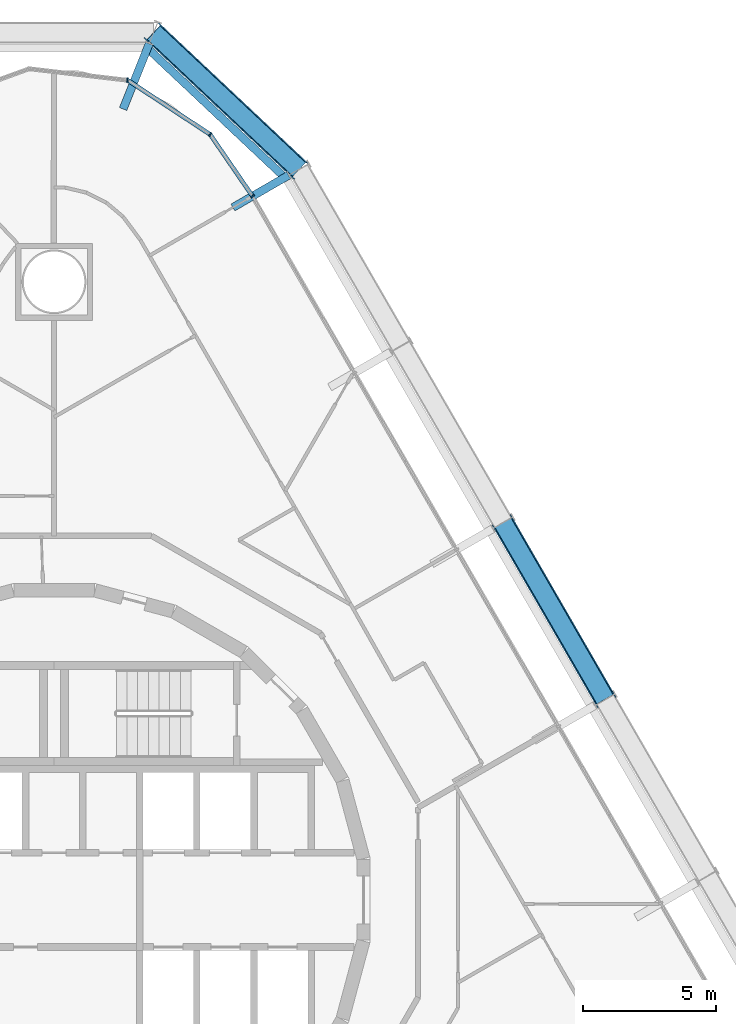
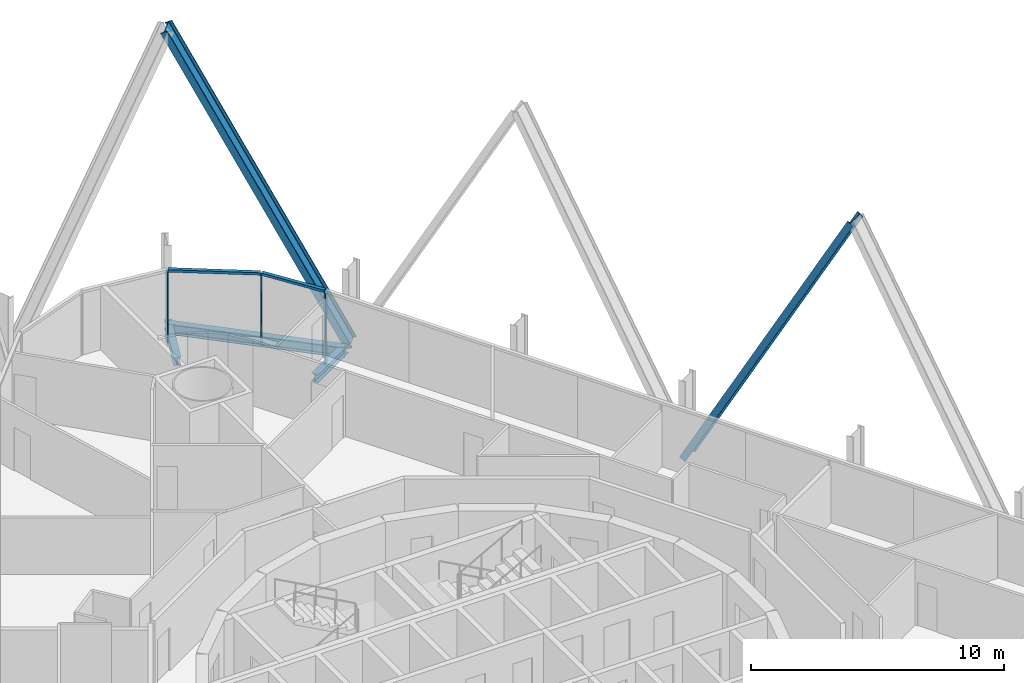
# One storey, part 12 of 21: 7 members, 3 beams, 1 element without a shape of its own.
"""IFC4 building model written with IfcOpenShell, lengths in metres."""

import ifcopenshell
import ifcopenshell.guid

model = None  # the IFC model being written
_history = None  # IfcOwnerHistory: only IFC2X3 demands one
_inside = {}  # id of a spatial element -> (the spatial element, [elements in it])
_under = {}  # id of a project, library or spatial element -> (it, [spatial elements below it])
_declared = {}  # id of a project -> (the project, [libraries it declares])
_typed = {}  # id of a type object -> (the type object, [elements of that type])
_made_of = {}  # id of a material, layer set ... -> (it, [elements and type objects made of it])


def new_model(schema):
    """Start an empty IFC model of exactly this schema.

    Asked for "IFC4X3", IfcOpenShell would pick the latest addendum, in which some entities
    have other attributes; the version numbers below select the first issue.
    IFC2X3 requires an IfcOwnerHistory on every rooted entity: one is made here for all.
    """
    global model, _history
    if schema == "IFC4X3":
        model = ifcopenshell.file(schema_version=(4, 3, 0, 0))
    else:
        model = ifcopenshell.file(schema=schema)
    _inside.clear()
    _under.clear()
    _declared.clear()
    _typed.clear()
    _made_of.clear()
    _history = None
    if model.schema == "IFC2X3":
        org = make("IfcOrganization", Name="unknown")
        user = make(
            "IfcPersonAndOrganization",
            ThePerson=make("IfcPerson", FamilyName="unknown"),
            TheOrganization=org,
        )
        app = make(
            "IfcApplication",
            ApplicationDeveloper=org,
            Version="unknown",
            ApplicationFullName="unknown",
            ApplicationIdentifier="unknown",
        )
        _history = make(
            "IfcOwnerHistory",
            OwningUser=user,
            OwningApplication=app,
            ChangeAction="ADDED",
            CreationDate=0,
        )
    return model


def make(cls, **values):
    """One entity of the class cls with the attributes given. An attribute that is None is left unset."""
    return model.create_entity(
        cls, **{name: value for name, value in values.items() if value is not None}
    )


def rooted(cls, **values):
    """An entity with a GlobalId (a new one), such as an element, a storey or a relation."""
    return make(cls, GlobalId=ifcopenshell.guid.new(), OwnerHistory=_history, **values)


def si_unit(unit_type, name, prefix=None):
    """IfcSIUnit, for example si_unit("LENGTHUNIT", "METRE", prefix="MILLI")."""
    return make("IfcSIUnit", UnitType=unit_type, Prefix=prefix, Name=name)


def assignment(units):
    """IfcUnitAssignment: the units of a project."""
    return None if units is None else make("IfcUnitAssignment", Units=units)


def point(xyz):
    """IfcCartesianPoint."""
    return None if xyz is None else make("IfcCartesianPoint", Coordinates=xyz)


def direction(xyz):
    """IfcDirection."""
    return None if xyz is None else make("IfcDirection", DirectionRatios=xyz)


def frame(location, z_axis=None, x_axis=None):
    """IfcAxis2Placement3D, a coordinate frame: its origin and axes. An axis left out is left unset."""
    return make(
        "IfcAxis2Placement3D",
        Location=point(location),
        Axis=direction(z_axis),
        RefDirection=direction(x_axis),
    )


def frame_2d(location, x_axis=None):
    """IfcAxis2Placement2D, a coordinate frame in the plane: its origin and x axis."""
    return make(
        "IfcAxis2Placement2D", Location=point(location), RefDirection=direction(x_axis)
    )


def origin():
    """The frame at (0, 0, 0) with its axes left unset."""
    return frame((0.0, 0.0, 0.0))


def origin_2d():
    """The frame at (0, 0) in the plane with its x axis left unset."""
    return frame_2d((0.0, 0.0))


def place(relative_to, where):
    """IfcLocalPlacement: puts the frame where relative to a parent placement (None: the world)."""
    return make(
        "IfcLocalPlacement", PlacementRelTo=relative_to, RelativePlacement=where
    )


def context(
    kind, dimensions, precision=None, world=None, true_north=None, identifier=None
):
    """IfcGeometricRepresentationContext, for example the 3D "Model" context."""
    return make(
        "IfcGeometricRepresentationContext",
        ContextIdentifier=identifier,
        ContextType=kind,
        CoordinateSpaceDimension=dimensions,
        Precision=precision,
        WorldCoordinateSystem=world,
        TrueNorth=true_north,
    )


def subcontext(parent, identifier, kind, view, scale=None):
    """IfcGeometricRepresentationSubContext, for example "Body" below "Model"."""
    return make(
        "IfcGeometricRepresentationSubContext",
        ContextIdentifier=identifier,
        ContextType=kind,
        ParentContext=parent,
        TargetScale=scale,
        TargetView=view,
    )


def project(units=None, contexts=None):
    """IfcProject with its units and contexts."""
    return rooted(
        "IfcProject",
        Name="project",
        RepresentationContexts=contexts,
        UnitsInContext=assignment(units),
    )


def spatial(cls, under=None, at=None, **own):
    """A site, building, storey or space (cls), placed at a placement, below another one or the project."""
    s = rooted(cls, ObjectPlacement=at, **own)
    if under is not None:
        _under.setdefault(under.id(), (under, []))[1].append(s)
    return s


def profile(cls, at=None, kind="AREA", **sizes):
    """A parametric profile (cls). Its sizes go by their IFC names, for example OverallWidth=200.0."""
    return make(cls, ProfileType=kind, Position=at, **sizes)


def rectangle(**sizes):
    """IfcRectangleProfileDef."""
    return profile("IfcRectangleProfileDef", **sizes)


def i_section(**sizes):
    """IfcIShapeProfileDef."""
    return profile("IfcIShapeProfileDef", **sizes)


def extrude(swept, where, along, depth):
    """IfcExtrudedAreaSolid: the profile swept, set in the frame where, extruded along a direction by depth."""
    return make(
        "IfcExtrudedAreaSolid",
        SweptArea=swept,
        Position=where,
        ExtrudedDirection=direction(along),
        Depth=depth,
    )


def shape(context_of_items, identifier, shape_type, items):
    """IfcShapeRepresentation: the items that make up one representation, for example the "Body"."""
    return make(
        "IfcShapeRepresentation",
        ContextOfItems=context_of_items,
        RepresentationIdentifier=identifier,
        RepresentationType=shape_type,
        Items=items,
    )


def material(Name=None, Category=None):
    """IfcMaterial."""
    return make("IfcMaterial", Name=Name, Category=Category)


def layer(
    of_material, thickness, ventilated=None, Name=None, Category=None, Priority=None
):
    """IfcMaterialLayer: one layer of a wall or slab, of a material (None: an air gap)."""
    return make(
        "IfcMaterialLayer",
        Material=of_material,
        LayerThickness=thickness,
        IsVentilated=ventilated,
        Name=Name,
        Category=Category,
        Priority=Priority,
    )


def layer_set(layers, Name=None):
    """IfcMaterialLayerSet."""
    return make("IfcMaterialLayerSet", MaterialLayers=layers, LayerSetName=Name)


def material_profile(
    of_material, cross_section, Name=None, Category=None, Priority=None
):
    """IfcMaterialProfile: a cross section and its material."""
    return make(
        "IfcMaterialProfile",
        Name=Name,
        Material=of_material,
        Profile=cross_section,
        Priority=Priority,
        Category=Category,
    )


def profile_set(profiles, Name=None, composite=None):
    """IfcMaterialProfileSet."""
    return make(
        "IfcMaterialProfileSet",
        Name=Name,
        MaterialProfiles=profiles,
        CompositeProfile=composite,
    )


def made_of(thing, what):
    """Note that an element or type object is made of a material, layer set ...; save() writes the relation."""
    if what is not None:
        _made_of.setdefault(what.id(), (what, []))[1].append(thing)
    return thing


def type_object(cls, material=None, **own):
    """A type object (cls), such as IfcWallType, which elements share."""
    return made_of(rooted(cls, **own), material)


def element(
    cls,
    number,
    at=None,
    inside=None,
    cuts=None,
    type_object=None,
    material=None,
    context=None,
    identifier="Body",
    shape_type=None,
    held_by="IfcProductDefinitionShape",
    body=None,
    shapes=None,
    **own,
):
    """One element of the class cls, such as IfcWall. Its Tag is "e" and its number.

    at: its placement. inside: the storey or other place that contains it. cuts: it is an
    opening in that element (IfcRelVoidsElement). A single representation is given by context,
    identifier, shape_type and body (its items); several are given by shapes. held_by: the class
    of the entity that holds the representations. save() writes the other relations.
    """
    e = rooted(cls, Tag="e%d" % number, ObjectPlacement=at, **own)
    if body is not None:
        shapes = [shape(context, identifier, shape_type, body)]
    if shapes is not None:
        e.Representation = make(held_by, Representations=shapes)
    if inside is not None:
        _inside.setdefault(inside.id(), (inside, []))[1].append(e)
    if cuts is not None:
        rooted(
            "IfcRelVoidsElement", RelatingBuildingElement=cuts, RelatedOpeningElement=e
        )
    if type_object is not None:
        _typed.setdefault(type_object.id(), (type_object, []))[1].append(e)
    return made_of(e, material)


def aggregate(whole, parts):
    """IfcRelAggregates: a whole, such as a stair, and the parts it consists of."""
    return rooted("IfcRelAggregates", RelatingObject=whole, RelatedObjects=parts)


def save(model, path):
    """Write the relations noted so far, then the file.

    IfcRelAggregates (storeys below a building ...), IfcRelContainedInSpatialStructure (elements
    in a storey), IfcRelDefinesByType, IfcRelAssociatesMaterial and IfcRelDeclares: one each for
    every whole, place, type object, material and project.
    """
    for whole, parts in _under.values():
        aggregate(whole, parts)
    for where, things in _inside.values():
        rooted(
            "IfcRelContainedInSpatialStructure",
            RelatedElements=things,
            RelatingStructure=where,
        )
    for kind, things in _typed.values():
        rooted("IfcRelDefinesByType", RelatedObjects=things, RelatingType=kind)
    for what, things in _made_of.values():
        rooted("IfcRelAssociatesMaterial", RelatedObjects=things, RelatingMaterial=what)
    for by, libraries in _declared.values():
        rooted("IfcRelDeclares", RelatingContext=by, RelatedDefinitions=libraries)
    model.write(path)


model = new_model("IFC4")

# Units and contexts
model_context = context("Model", 3, precision=1e-05, world=origin(), true_north=direction((0.0, 1.0)))
body_context = subcontext(model_context, "Body", "Model", "MODEL_VIEW")
ifc_project = project(units=[si_unit("LENGTHUNIT", "METRE"), si_unit("AREAUNIT", "SQUARE_METRE"), si_unit("VOLUMEUNIT", "CUBIC_METRE"), si_unit("PLANEANGLEUNIT", "RADIAN"), si_unit("MASSUNIT", "GRAM", prefix="KILO")], contexts=[model_context])

# Site, building, storey
site_placement = place(None, origin())
site = spatial("IfcSite", under=ifc_project, at=site_placement, CompositionType="ELEMENT")
building_placement = place(site_placement, origin())
building = spatial("IfcBuilding", under=site, at=building_placement, Name="Spindle Arch Residences", CompositionType="ELEMENT")
storey_placement = place(building_placement, frame((0.0, 0.0, 38.39990234375)))
storey = spatial("IfcBuildingStorey", under=building, at=storey_placement, Name="L07", CompositionType="ELEMENT", Elevation=38.39990234375)

# Curtain wall, members
ifc_material_1 = material(Name="Aluminium bronze unitised frame with tinted glass", Category="aluminium")
ifc_layer = layer(ifc_material_1, 0.159912109375)
ifc_layer_set = layer_set([ifc_layer], Name="CW-D corner wall on the fillet arcs")
curtain_wall_type = type_object("IfcCurtainWallType", Name="CW-D corner wall on the fillet arcs", PredefinedType="NOTDEFINED", material=ifc_layer_set)
curtain_wall_placement = place(storey_placement, origin())
curtain_wall = element("IfcCurtainWall", 1, at=curtain_wall_placement, inside=storey, type_object=curtain_wall_type, Name="CW-D L07 run 3", PredefinedType="NOTDEFINED")
ifc_material_2 = material(Name="Aluminium bronze anodised mullion", Category="aluminium")
ifc_material_profile_1 = material_profile(ifc_material_2, rectangle(XDim=0.159912109375, YDim=0.06005859375, at=origin_2d()), Name="MU 60x160")
ifc_profile_set_1 = profile_set([ifc_material_profile_1], Name="Aluminium bronze anodised mullion")
member_type_1 = type_object("IfcMemberType", Name="Bronze mullion 60x160", PredefinedType="MULLION", material=ifc_profile_set_1)
member_1_placement = place(storey_placement, frame((7.46923828125, 26.48291015625, -0.449951171875), z_axis=(0.0, 0.0, 1.0), x_axis=(-0.824747802142, -0.565500718711, 0.0)))
member_1 = element("IfcMember", 2, at=member_1_placement, type_object=member_type_1, Name="CW-D mullion 00", PredefinedType="MULLION", context=body_context, shape_type="SweptSolid", body=[
    extrude(rectangle(XDim=0.159912109375, YDim=0.06005859375, at=origin_2d()), origin(), (0.0, 0.0, 1.0), 3.449951171875),
])
member_2_placement = place(storey_placement, frame((5.877197265625, 28.8046875, -0.449951171875), z_axis=(0.0, 0.0, 1.0), x_axis=(-0.549508977628, -0.835487811704, 0.0)))
member_2 = element("IfcMember", 3, at=member_2_placement, type_object=member_type_1, Name="CW-D mullion 01", PredefinedType="MULLION", context=body_context, shape_type="SweptSolid", body=[
    extrude(rectangle(XDim=0.159912109375, YDim=0.06005859375, at=origin_2d()), origin(), (0.0, 0.0, 1.0), 3.449951171875),
])
member_3_placement = place(storey_placement, frame((2.763427734375, 30.8525390625, -0.449951171875), z_axis=(0.0, 0.0, 1.0), x_axis=(-0.116092915414, -0.993238357591, 0.0)))
member_3 = element("IfcMember", 4, at=member_3_placement, type_object=member_type_1, Name="CW-D mullion 02", PredefinedType="MULLION", context=body_context, shape_type="SweptSolid", body=[
    extrude(rectangle(XDim=0.159912109375, YDim=0.06005859375, at=origin_2d()), origin(), (0.0, 0.0, 1.0), 3.449951171875),
])
ifc_material_3 = material(Name="Aluminium bronze anodised transom", Category="aluminium")
ifc_material_profile_2 = material_profile(ifc_material_3, rectangle(XDim=0.159912109375, YDim=0.1201171875, at=origin_2d()), Name="TR 120x160")
ifc_profile_set_2 = profile_set([ifc_material_profile_2], Name="Aluminium bronze anodised transom")
member_type_2 = type_object("IfcMemberType", Name="Bronze transom 120x160", PredefinedType="USERDEFINED", material=ifc_profile_set_2)
member_4_placement = place(storey_placement, frame((7.4521484375, 26.507568359375, 3.06005859375), z_axis=(-0.565490471855, 0.824754827958, 0.0), x_axis=(-0.824754827958, -0.565490471855, 0.0)))
member_4 = element("IfcMember", 5, at=member_4_placement, type_object=member_type_2, Name="CW-D transom 00", ObjectType="TRANSOM", PredefinedType="USERDEFINED", context=body_context, shape_type="SweptSolid", body=[
    extrude(rectangle(XDim=0.159912109375, YDim=0.1201171875, at=origin_2d()), origin(), (0.0, 0.0, 1.0), 2.75537109375),
])
member_5_placement = place(storey_placement, frame((5.85205078125, 28.821044921875, 3.06005859375), z_axis=(-0.835486265536, 0.549511328456, 0.0), x_axis=(-0.549511328456, -0.835486265536, 0.0)))
member_5 = element("IfcMember", 6, at=member_5_placement, type_object=member_type_2, Name="CW-D transom 01", ObjectType="TRANSOM", PredefinedType="USERDEFINED", context=body_context, shape_type="SweptSolid", body=[
    extrude(rectangle(XDim=0.159912109375, YDim=0.1201171875, at=origin_2d()), origin(), (0.0, 0.0, 1.0), 3.666748046875),
])
aggregate(curtain_wall, [member_1, member_4, member_2, member_5, member_3])

# Members
ifc_material_4 = material(Name="Steel S460ML, intumescent coating R 240", Category="steel")
ifc_material_profile_3 = material_profile(ifc_material_4, i_section(OverallWidth=0.302978515625, OverallDepth=0.81396484375, WebThickness=0.02099609375, FlangeThickness=0.0400390625, FilletRadius=0.030029296875, at=origin_2d()), Name="HEM 800")
ifc_profile_set_3 = profile_set([ifc_material_profile_3], Name="Steel S460ML, intumescent coating R 240")
member_type_3 = type_object("IfcMemberType", Name="Diagrid diagonal HEM 800", PredefinedType="BRACE", material=ifc_profile_set_3)
member_6_placement = place(storey_placement, frame((16.898681640625, 14.1904296875, -0.699951171875), z_axis=(0.239561156011, -0.414925587972, 0.877751222714), x_axis=(-0.438880772287, 0.760151877386, 0.47911667788)))
element("IfcMember", 7, at=member_6_placement, inside=storey, type_object=member_type_3, Name="Diagrid diagonal 1.1.8", PredefinedType="BRACE", context=body_context, shape_type="SweptSolid", body=[
    extrude(i_section(OverallWidth=0.302978515625, OverallDepth=0.81396484375, WebThickness=0.02099609375, FlangeThickness=0.0400390625, FilletRadius=0.030029296875, at=origin_2d()), origin(), (0.0, 0.0, 1.0), 16.02978515625),
])
member_7_placement = place(storey_placement, frame((9.218505859375, 27.492919921875, -0.699951171875), z_axis=(-0.34298287094, 0.322639023958, 0.882194315591), x_axis=(0.642571314928, -0.604457538371, 0.470885537619)))
element("IfcMember", 8, at=member_7_placement, inside=storey, type_object=member_type_3, Name="Diagrid diagonal 1.1.11", PredefinedType="BRACE", context=body_context, shape_type="SweptSolid", body=[
    extrude(i_section(OverallWidth=0.302978515625, OverallDepth=0.81396484375, WebThickness=0.02099609375, FlangeThickness=0.0400390625, FilletRadius=0.030029296875, at=origin_2d()), origin(), (0.0, 0.0, 1.0), 15.948974609375),
])

# Beams
ifc_material_5 = material(Name="Steel S460ML, intumescent coating R 120", Category="steel")
ifc_material_profile_4 = material_profile(ifc_material_5, i_section(OverallWidth=0.300048828125, OverallDepth=0.5, WebThickness=0.014404296875, FlangeThickness=0.028076171875, FilletRadius=0.027099609375, at=origin_2d()), Name="HEB 500")
ifc_profile_set_4 = profile_set([ifc_material_profile_4], Name="Steel S460ML, intumescent coating R 120")
beam_type_1 = type_object("IfcBeamType", Name="Exoskeleton edge beam HEB 500", PredefinedType="BEAM", material=ifc_profile_set_4)
beam_1_placement = place(storey_placement, frame((8.739501953125, 27.13818359375, -0.699951171875), z_axis=(-0.728394714383, 0.685157748303, 0.0), x_axis=(-0.685157748303, -0.728394714383, 0.0)))
element("IfcBeam", 9, at=beam_1_placement, inside=storey, type_object=beam_type_1, Name="Exoskeleton edge beam 11", PredefinedType="BEAM", context=body_context, shape_type="SweptSolid", body=[
    extrude(i_section(OverallWidth=0.300048828125, OverallDepth=0.5, WebThickness=0.014404296875, FlangeThickness=0.028076171875, FilletRadius=0.027099609375, at=origin_2d()), origin(), (0.0, 0.0, 1.0), 7.250244140625),
])
ifc_material_6 = material(Name="Steel S460ML, intumescent coating R 120", Category="steel")
ifc_material_profile_5 = material_profile(ifc_material_6, i_section(OverallWidth=0.300048828125, OverallDepth=0.389892578125, WebThickness=0.010986328125, FlangeThickness=0.01904296875, FilletRadius=0.027099609375, at=origin_2d()), Name="HEA 400")
ifc_profile_set_5 = profile_set([ifc_material_profile_5], Name="Steel S460ML, intumescent coating R 120")
beam_type_2 = type_object("IfcBeamType", Name="Floor outrigger HEA 400", PredefinedType="BEAM", material=ifc_profile_set_5)
beam_2_placement = place(storey_placement, frame((8.828857421875, 27.267822265625, -0.64501953125), z_axis=(-0.866002732682, -0.500039265445, 0.0), x_axis=(0.500039265445, -0.866002732682, 0.0)))
element("IfcBeam", 10, at=beam_2_placement, inside=storey, type_object=beam_type_2, Name="Floor outrigger 11", PredefinedType="BEAM", context=body_context, shape_type="SweptSolid", body=[
    extrude(i_section(OverallWidth=0.300048828125, OverallDepth=0.389892578125, WebThickness=0.010986328125, FlangeThickness=0.01904296875, FilletRadius=0.027099609375, at=origin_2d()), origin(), (0.0, 0.0, 1.0), 2.423583984375),
])
beam_3_placement = place(storey_placement, frame((3.581298828125, 32.220703125, -0.64501953125), z_axis=(-0.371104734129, -0.928591016706, 0.0), x_axis=(0.928591016706, -0.371104734129, 0.0)))
element("IfcBeam", 11, at=beam_3_placement, inside=storey, type_object=beam_type_2, Name="Floor outrigger 12", PredefinedType="BEAM", context=body_context, shape_type="SweptSolid", body=[
    extrude(i_section(OverallWidth=0.300048828125, OverallDepth=0.389892578125, WebThickness=0.010986328125, FlangeThickness=0.01904296875, FilletRadius=0.027099609375, at=origin_2d()), origin(), (0.0, 0.0, 1.0), 2.64990234375),
])

save(model, "model.ifc")
